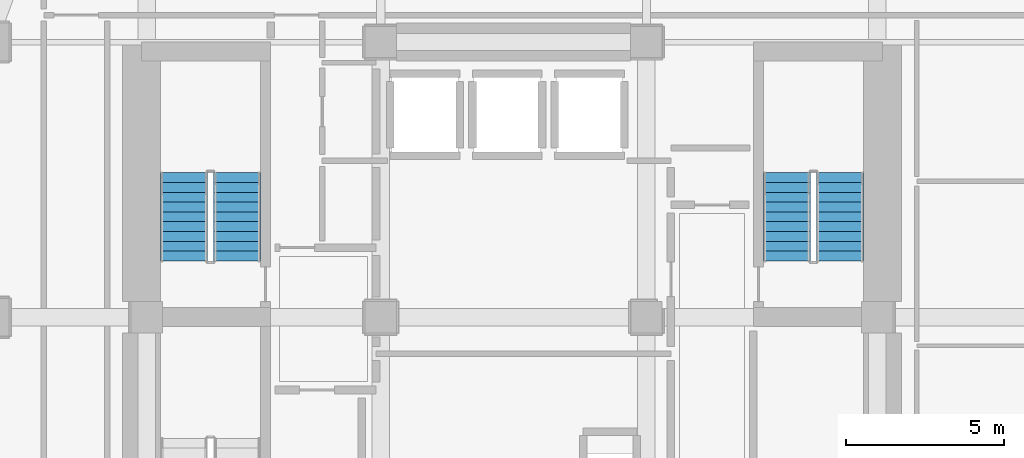
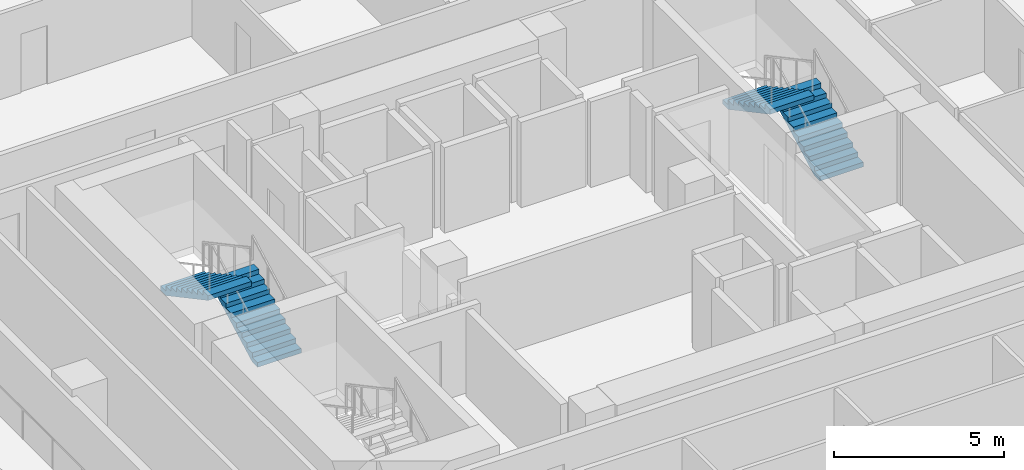
# One storey, part 7 of 11: 4 stair flights, 2 elements without a shape of their own.
"""IFC4 building model written with IfcOpenShell, lengths in metres."""

from ifc_helpers import new_model, si_unit, direction, frame, origin, place, context, subcontext, project, spatial, polyline, outline, extrude, material, type_object, element, aggregate, save


model = new_model("IFC4")

# Units and contexts
model_context = context("Model", 3, precision=1e-05, world=origin(), true_north=direction((0.0, 1.0)))
body_context = subcontext(model_context, "Body", "Model", "MODEL_VIEW")
ifc_project = project(units=[si_unit("LENGTHUNIT", "METRE"), si_unit("AREAUNIT", "SQUARE_METRE"), si_unit("VOLUMEUNIT", "CUBIC_METRE"), si_unit("PLANEANGLEUNIT", "RADIAN"), si_unit("MASSUNIT", "GRAM", prefix="KILO")], contexts=[model_context])

# Site, building, storey
site_placement = place(None, origin())
site = spatial("IfcSite", under=ifc_project, at=site_placement, CompositionType="ELEMENT")
building_placement = place(site_placement, origin())
building = spatial("IfcBuilding", under=site, at=building_placement, Name="Solanera Arch Residences", CompositionType="ELEMENT")
storey_placement = place(building_placement, frame((0.0, 0.0, 68.47998046875)))
storey = spatial("IfcBuildingStorey", under=building, at=storey_placement, Name="L19", CompositionType="ELEMENT", Elevation=68.47998046875)

# Stair, stair flights
ifc_material_1 = material(Name="Concrete C40/50 (f'c = 45 MPa)", Category="concrete")
stair_type = type_object("IfcStairType", Name="Tower Dogleg Exit Stair 1480", PredefinedType="HALF_TURN_STAIR", material=ifc_material_1)
stair_1_placement = place(storey_placement, origin())
stair_1 = element("IfcStair", 1, at=stair_1_placement, inside=storey, type_object=stair_type, Name="L19 Tower Core Exit Stair 1", PredefinedType="HALF_TURN_STAIR")
ifc_material_2 = material(Name="Concrete C40/50 (f'c = 45 MPa)", Category="concrete")
stair_flight_type = type_object("IfcStairFlightType", Name="Tower Precast Stair Flight 1480", PredefinedType="STRAIGHT", material=ifc_material_2)
stair_flight_1_placement = place(storey_placement, frame((16.260009765625, 32.47998046875, 0.0), z_axis=(0.0, 0.0, 1.0), x_axis=(0.0, 1.0, 0.0)))
stair_flight_1 = element("IfcStairFlight", 2, at=stair_flight_1_placement, type_object=stair_flight_type, Name="ST-T1 flight 1", NumberOfRisers=10, NumberOfTreads=9, PredefinedType="STRAIGHT", RiserHeight=0.166, TreadLength=0.31, context=body_context, shape_type="SweptSolid", body=[
    extrude(outline(polyline([(0.0, 0.0), (0.0, 0.166015625), (0.31005859375, 0.166015625), (0.31005859375, 0.33203125), (0.6201171875, 0.33203125), (0.6201171875, 0.498046875), (0.929931640625, 0.498046875), (0.929931640625, 0.6640625), (1.239990234375, 0.6640625), (1.239990234375, 0.830078125), (1.550048828125, 0.830078125), (1.550048828125, 0.99609375), (1.860107421875, 0.99609375), (1.860107421875, 1.162109375), (2.169921875, 1.162109375), (2.169921875, 1.327880859375), (2.47998046875, 1.327880859375), (2.47998046875, 1.493896484375), (2.7900390625, 1.493896484375), (2.7900390625, 1.659912109375), (2.7900390625, 1.323974609375), (0.317626953125, 0.0), (0.0, 0.0)])), frame((0.0, 0.739990234375, 0.0), z_axis=(0.0, -1.0, 0.0), x_axis=(1.0, 0.0, 0.0)), (0.0, 0.0, 1.0), 1.47998046875),
])
stair_flight_2_placement = place(storey_placement, frame((14.580078125, 35.27001953125, 1.659912109375), z_axis=(0.0, 0.0, 1.0), x_axis=(0.0, -1.0, 0.0)))
stair_flight_2 = element("IfcStairFlight", 3, at=stair_flight_2_placement, type_object=stair_flight_type, Name="ST-T1 flight 2", NumberOfRisers=10, NumberOfTreads=9, PredefinedType="STRAIGHT", RiserHeight=0.166, TreadLength=0.31, context=body_context, shape_type="SweptSolid", body=[
    extrude(outline(polyline([(0.0, 0.0), (0.0, 0.166015625), (0.31005859375, 0.166015625), (0.31005859375, 0.33203125), (0.6201171875, 0.33203125), (0.6201171875, 0.498046875), (0.929931640625, 0.498046875), (0.929931640625, 0.6640625), (1.239990234375, 0.6640625), (1.239990234375, 0.830078125), (1.550048828125, 0.830078125), (1.550048828125, 0.99609375), (1.860107421875, 0.99609375), (1.860107421875, 1.162109375), (2.169921875, 1.162109375), (2.169921875, 1.327880859375), (2.47998046875, 1.327880859375), (2.47998046875, 1.493896484375), (2.7900390625, 1.493896484375), (2.7900390625, 1.659912109375), (2.7900390625, 1.323974609375), (0.317626953125, 0.0), (0.0, 0.0)])), frame((0.0, 0.739990234375, 0.0), z_axis=(0.0, -1.0, 0.0), x_axis=(1.0, 0.0, 0.0)), (0.0, 0.0, 1.0), 1.47998046875),
])
aggregate(stair_1, [stair_flight_1, stair_flight_2])

stair_2_placement = place(storey_placement, origin())
stair_2 = element("IfcStair", 4, at=stair_2_placement, inside=storey, type_object=stair_type, Name="L19 Tower Core Exit Stair 2", PredefinedType="HALF_TURN_STAIR")
stair_flight_3_placement = place(storey_placement, frame((35.320068359375, 32.47998046875, 0.0), z_axis=(0.0, 0.0, 1.0), x_axis=(0.0, 1.0, 0.0)))
stair_flight_3 = element("IfcStairFlight", 5, at=stair_flight_3_placement, type_object=stair_flight_type, Name="ST-T2 flight 1", NumberOfRisers=10, NumberOfTreads=9, PredefinedType="STRAIGHT", RiserHeight=0.166, TreadLength=0.31, context=body_context, shape_type="SweptSolid", body=[
    extrude(outline(polyline([(0.0, 0.0), (0.0, 0.166015625), (0.31005859375, 0.166015625), (0.31005859375, 0.33203125), (0.6201171875, 0.33203125), (0.6201171875, 0.498046875), (0.929931640625, 0.498046875), (0.929931640625, 0.6640625), (1.239990234375, 0.6640625), (1.239990234375, 0.830078125), (1.550048828125, 0.830078125), (1.550048828125, 0.99609375), (1.860107421875, 0.99609375), (1.860107421875, 1.162109375), (2.169921875, 1.162109375), (2.169921875, 1.327880859375), (2.47998046875, 1.327880859375), (2.47998046875, 1.493896484375), (2.7900390625, 1.493896484375), (2.7900390625, 1.659912109375), (2.7900390625, 1.323974609375), (0.317626953125, 0.0), (0.0, 0.0)])), frame((0.0, 0.739990234375, 0.0), z_axis=(0.0, -1.0, 0.0), x_axis=(1.0, 0.0, 0.0)), (0.0, 0.0, 1.0), 1.47998046875),
])
stair_flight_4_placement = place(storey_placement, frame((33.639892578125, 35.27001953125, 1.659912109375), z_axis=(0.0, 0.0, 1.0), x_axis=(0.0, -1.0, 0.0)))
stair_flight_4 = element("IfcStairFlight", 6, at=stair_flight_4_placement, type_object=stair_flight_type, Name="ST-T2 flight 2", NumberOfRisers=10, NumberOfTreads=9, PredefinedType="STRAIGHT", RiserHeight=0.166, TreadLength=0.31, context=body_context, shape_type="SweptSolid", body=[
    extrude(outline(polyline([(0.0, 0.0), (0.0, 0.166015625), (0.31005859375, 0.166015625), (0.31005859375, 0.33203125), (0.6201171875, 0.33203125), (0.6201171875, 0.498046875), (0.929931640625, 0.498046875), (0.929931640625, 0.6640625), (1.239990234375, 0.6640625), (1.239990234375, 0.830078125), (1.550048828125, 0.830078125), (1.550048828125, 0.99609375), (1.860107421875, 0.99609375), (1.860107421875, 1.162109375), (2.169921875, 1.162109375), (2.169921875, 1.327880859375), (2.47998046875, 1.327880859375), (2.47998046875, 1.493896484375), (2.7900390625, 1.493896484375), (2.7900390625, 1.659912109375), (2.7900390625, 1.323974609375), (0.317626953125, 0.0), (0.0, 0.0)])), frame((0.0, 0.739990234375, 0.0), z_axis=(0.0, -1.0, 0.0), x_axis=(1.0, 0.0, 0.0)), (0.0, 0.0, 1.0), 1.47998046875),
])
aggregate(stair_2, [stair_flight_3, stair_flight_4])

save(model, "model.ifc")
